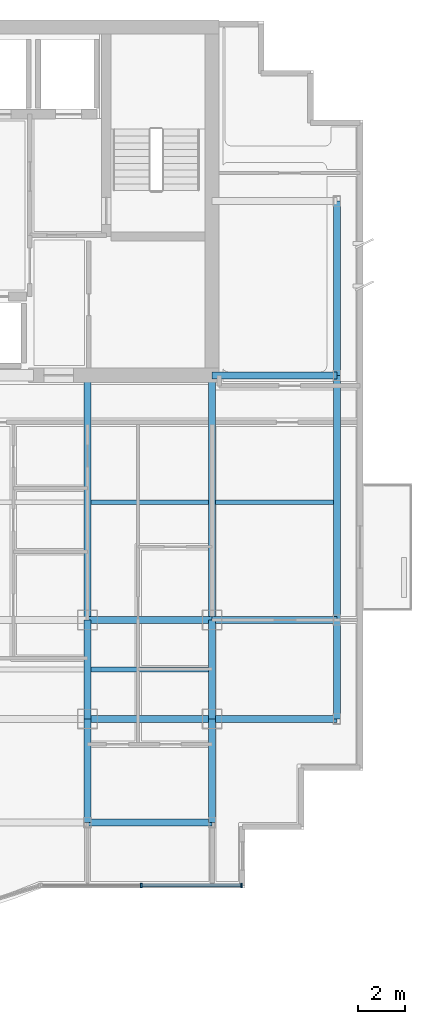
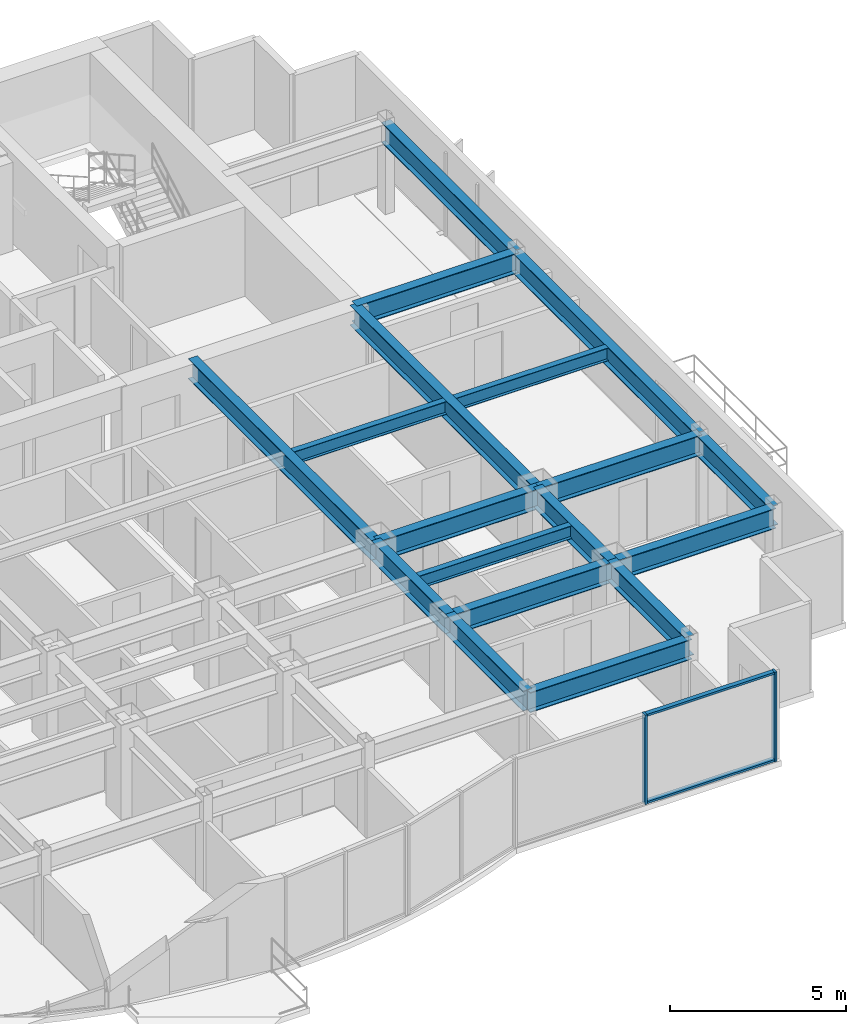
# One storey, part 4 of 11: 18 beams, 4 members, 1 element without a shape of its own.
"""IFC4 building model written with IfcOpenShell, lengths in metres."""

from ifc_helpers import new_model, si_unit, direction, frame, origin, origin_2d, place, context, subcontext, project, spatial, rectangle, i_section, extrude, source, transform, mapped, material, layer, layer_set, material_profile, profile_set, type_object, element, aggregate, save


model = new_model("IFC4")

# Units and contexts
model_context = context("Model", 3, precision=1e-05, world=origin(), true_north=direction((0.0, 1.0)))
body_context = subcontext(model_context, "Body", "Model", "MODEL_VIEW")
ifc_project = project(units=[si_unit("LENGTHUNIT", "METRE"), si_unit("AREAUNIT", "SQUARE_METRE"), si_unit("VOLUMEUNIT", "CUBIC_METRE"), si_unit("PLANEANGLEUNIT", "RADIAN"), si_unit("MASSUNIT", "GRAM", prefix="KILO")], contexts=[model_context])

# Site, building, storey
site_placement = place(None, origin())
site = spatial("IfcSite", under=ifc_project, at=site_placement, CompositionType="ELEMENT")
building_placement = place(site_placement, origin())
building = spatial("IfcBuilding", under=site, at=building_placement, Name="Qianlan Lanfeng Residences", CompositionType="ELEMENT")
storey_placement = place(building_placement, frame((0.0, 0.0, 165.60009765625)))
storey = spatial("IfcBuildingStorey", under=building, at=storey_placement, Name="L45", CompositionType="ELEMENT", Elevation=165.60009765625)

# Beams
ifc_material_1 = material(Name="Steel SN490B", Category="steel")
ifc_material_profile_1 = material_profile(ifc_material_1, i_section(OverallWidth=0.300048828125, OverallDepth=0.699951171875, WebThickness=0.012939453125, FlangeThickness=0.02392578125, at=origin_2d()), Name="H 700x300x13x24")
ifc_profile_set_1 = profile_set([ifc_material_profile_1], Name="Steel SN490B")
beam_type_1 = type_object("IfcBeamType", Name="G-750", PredefinedType="BEAM", material=ifc_profile_set_1)
beam_1_placement = place(storey_placement, frame((37.10009765625, 10.60009765625, 2.75), z_axis=(1.0, 0.0, 0.0), x_axis=(0.0, 1.0, 0.0)))
element("IfcBeam", 1, at=beam_1_placement, inside=storey, type_object=beam_type_1, Name="Structural beam G-750", PredefinedType="BEAM", context=body_context, shape_type="SweptSolid", body=[
    extrude(i_section(OverallWidth=0.300048828125, OverallDepth=0.699951171875, WebThickness=0.012939453125, FlangeThickness=0.02392578125, at=origin_2d()), origin(), (0.0, 0.0, 1.0), 5.2998046875),
])
beam_2_placement = place(storey_placement, frame((42.39990234375, 10.60009765625, 2.75), z_axis=(1.0, 0.0, 0.0), x_axis=(0.0, 1.0, 0.0)))
element("IfcBeam", 2, at=beam_2_placement, inside=storey, type_object=beam_type_1, Name="Structural beam G-750", PredefinedType="BEAM", context=body_context, shape_type="SweptSolid", body=[
    extrude(i_section(OverallWidth=0.300048828125, OverallDepth=0.699951171875, WebThickness=0.012939453125, FlangeThickness=0.02392578125, at=origin_2d()), origin(), (0.0, 0.0, 1.0), 5.300048828125),
])
beam_3_placement = place(storey_placement, frame((37.10009765625, 14.800048828125, 2.75), z_axis=(1.0, 0.0, 0.0), x_axis=(0.0, 1.0, 0.0)))
element("IfcBeam", 3, at=beam_3_placement, inside=storey, type_object=beam_type_1, Name="Structural beam G-750", PredefinedType="BEAM", context=body_context, shape_type="SweptSolid", body=[
    extrude(i_section(OverallWidth=0.300048828125, OverallDepth=0.699951171875, WebThickness=0.012939453125, FlangeThickness=0.02392578125, at=origin_2d()), origin(), (0.0, 0.0, 1.0), 5.2998046875),
])
for number, where, z_axis, x_axis, name in (
    (4, (42.39990234375, 14.800048828125, 2.75), (1.0, 0.0, 0.0), (0.0, 1.0, 0.0), "Structural beam G-750"),
    (5, (42.39990234375, 25.199951171875, 2.75), (1.0, 0.0, 0.0), (0.0, 1.0, 0.0), "Structural beam G-750"),
):
    element("IfcBeam", number, at=place(storey_placement, frame(where, z_axis=z_axis, x_axis=x_axis)), inside=storey, type_object=beam_type_1, Name=name, PredefinedType="BEAM", context=body_context, shape_type="SweptSolid", body=[
        extrude(i_section(OverallWidth=0.300048828125, OverallDepth=0.699951171875, WebThickness=0.012939453125, FlangeThickness=0.02392578125, at=origin_2d()), origin(), (0.0, 0.0, 1.0), 5.300048828125),
    ])
beam_4_placement = place(storey_placement, frame((37.10009765625, 6.199951171875, 2.75), z_axis=(0.0, 1.0, 0.0), x_axis=(-1.0, 0.0, 0.0)))
element("IfcBeam", 6, at=beam_4_placement, inside=storey, type_object=beam_type_1, Name="Structural beam G-750", PredefinedType="BEAM", context=body_context, shape_type="SweptSolid", body=[
    extrude(i_section(OverallWidth=0.300048828125, OverallDepth=0.699951171875, WebThickness=0.012939453125, FlangeThickness=0.02392578125, at=origin_2d()), origin(), (0.0, 0.0, 1.0), 4.400146484375),
])
beam_5_placement = place(storey_placement, frame((37.10009765625, 10.60009765625, 2.75), z_axis=(0.0, 1.0, 0.0), x_axis=(-1.0, 0.0, 0.0)))
element("IfcBeam", 7, at=beam_5_placement, inside=storey, type_object=beam_type_1, Name="Structural beam G-750", PredefinedType="BEAM", context=body_context, shape_type="SweptSolid", body=[
    extrude(i_section(OverallWidth=0.300048828125, OverallDepth=0.699951171875, WebThickness=0.012939453125, FlangeThickness=0.02392578125, at=origin_2d()), origin(), (0.0, 0.0, 1.0), 4.199951171875),
])
beam_6_placement = place(storey_placement, frame((37.10009765625, 14.800048828125, 2.75), z_axis=(0.0, 1.0, 0.0), x_axis=(-1.0, 0.0, 0.0)))
element("IfcBeam", 8, at=beam_6_placement, inside=storey, type_object=beam_type_1, Name="Structural beam G-750", PredefinedType="BEAM", context=body_context, shape_type="SweptSolid", body=[
    extrude(i_section(OverallWidth=0.300048828125, OverallDepth=0.699951171875, WebThickness=0.012939453125, FlangeThickness=0.02392578125, at=origin_2d()), origin(), (0.0, 0.0, 1.0), 10.39990234375),
])
beam_7_placement = place(storey_placement, frame((42.39990234375, 6.199951171875, 2.75), z_axis=(0.0, 1.0, 0.0), x_axis=(-1.0, 0.0, 0.0)))
element("IfcBeam", 9, at=beam_7_placement, inside=storey, type_object=beam_type_1, Name="Structural beam G-750", PredefinedType="BEAM", context=body_context, shape_type="SweptSolid", body=[
    extrude(i_section(OverallWidth=0.300048828125, OverallDepth=0.699951171875, WebThickness=0.012939453125, FlangeThickness=0.02392578125, at=origin_2d()), origin(), (0.0, 0.0, 1.0), 4.400146484375),
])
beam_8_placement = place(storey_placement, frame((42.39990234375, 10.60009765625, 2.75), z_axis=(0.0, 1.0, 0.0), x_axis=(-1.0, 0.0, 0.0)))
element("IfcBeam", 10, at=beam_8_placement, inside=storey, type_object=beam_type_1, Name="Structural beam G-750", PredefinedType="BEAM", context=body_context, shape_type="SweptSolid", body=[
    extrude(i_section(OverallWidth=0.300048828125, OverallDepth=0.699951171875, WebThickness=0.012939453125, FlangeThickness=0.02392578125, at=origin_2d()), origin(), (0.0, 0.0, 1.0), 4.199951171875),
])
beam_9_placement = place(storey_placement, frame((42.39990234375, 14.800048828125, 2.75), z_axis=(0.0, 1.0, 0.0), x_axis=(-1.0, 0.0, 0.0)))
element("IfcBeam", 11, at=beam_9_placement, inside=storey, type_object=beam_type_1, Name="Structural beam G-750", PredefinedType="BEAM", context=body_context, shape_type="SweptSolid", body=[
    extrude(i_section(OverallWidth=0.300048828125, OverallDepth=0.699951171875, WebThickness=0.012939453125, FlangeThickness=0.02392578125, at=origin_2d()), origin(), (0.0, 0.0, 1.0), 10.39990234375),
])
ifc_material_profile_2 = material_profile(ifc_material_1, i_section(OverallWidth=0.199951171875, OverallDepth=0.449951171875, WebThickness=0.009033203125, FlangeThickness=0.013916015625, at=origin_2d()), Name="H 450x200x9x14")
ifc_profile_set_2 = profile_set([ifc_material_profile_2], Name="Steel SN490B")
beam_type_2 = type_object("IfcBeamType", Name="J-450", PredefinedType="JOIST", material=ifc_profile_set_2)
for number, where, z_axis, x_axis, name in (
    (12, (37.25, 12.699951171875, 2.875), (1.0, 0.0, 0.0), (0.0, 1.0, 0.0), "Structural beam J-450"),
    (13, (37.25, 19.800048828125, 2.875), (1.0, 0.0, 0.0), (0.0, 1.0, 0.0), "Structural beam J-450"),
    (14, (42.550048828125, 19.800048828125, 2.875), (1.0, 0.0, 0.0), (0.0, 1.0, 0.0), "Structural beam J-450"),
):
    element("IfcBeam", number, at=place(storey_placement, frame(where, z_axis=z_axis, x_axis=x_axis)), inside=storey, type_object=beam_type_2, Name=name, PredefinedType="JOIST", context=body_context, shape_type="SweptSolid", body=[
        extrude(i_section(OverallWidth=0.199951171875, OverallDepth=0.449951171875, WebThickness=0.009033203125, FlangeThickness=0.013916015625, at=origin_2d()), origin(), (0.0, 0.0, 1.0), 5.0),
    ])
ifc_material_profile_3 = material_profile(ifc_material_1, i_section(OverallWidth=0.300048828125, OverallDepth=0.699951171875, WebThickness=0.012939453125, FlangeThickness=0.02392578125, at=origin_2d()), Name="H 700x300x13x24")
ifc_profile_set_3 = profile_set([ifc_material_profile_3], Name="Steel SN490B")
beam_type_3 = type_object("IfcBeamType", Name="SG-750", PredefinedType="SPANDREL", material=ifc_profile_set_3)
beam_10_placement = place(storey_placement, frame((37.10009765625, 6.199951171875, 2.739990234375), z_axis=(1.0, 0.0, 0.0), x_axis=(0.0, 1.0, 0.0)))
element("IfcBeam", 15, at=beam_10_placement, inside=storey, type_object=beam_type_3, Name="Structural beam SG-750", PredefinedType="SPANDREL", context=body_context, shape_type="SweptSolid", body=[
    extrude(i_section(OverallWidth=0.300048828125, OverallDepth=0.699951171875, WebThickness=0.012939453125, FlangeThickness=0.02392578125, at=origin_2d()), origin(), (0.0, 0.0, 1.0), 5.2998046875),
])
beam_11_placement = place(storey_placement, frame((47.699951171875, 10.60009765625, 2.739990234375), z_axis=(0.0, 1.0, 0.0), x_axis=(-1.0, 0.0, 0.0)))
element("IfcBeam", 16, at=beam_11_placement, inside=storey, type_object=beam_type_3, Name="Structural beam SG-750", PredefinedType="SPANDREL", context=body_context, shape_type="SweptSolid", body=[
    extrude(i_section(OverallWidth=0.300048828125, OverallDepth=0.699951171875, WebThickness=0.012939453125, FlangeThickness=0.02392578125, at=origin_2d()), origin(), (0.0, 0.0, 1.0), 4.199951171875),
])
beam_12_placement = place(storey_placement, frame((47.699951171875, 14.800048828125, 2.739990234375), z_axis=(0.0, 1.0, 0.0), x_axis=(-1.0, 0.0, 0.0)))
element("IfcBeam", 17, at=beam_12_placement, inside=storey, type_object=beam_type_3, Name="Structural beam SG-750", PredefinedType="SPANDREL", context=body_context, shape_type="SweptSolid", body=[
    extrude(i_section(OverallWidth=0.300048828125, OverallDepth=0.699951171875, WebThickness=0.012939453125, FlangeThickness=0.02392578125, at=origin_2d()), origin(), (0.0, 0.0, 1.0), 10.39990234375),
])
beam_13_placement = place(storey_placement, frame((47.699951171875, 25.199951171875, 2.739990234375), z_axis=(0.0, 1.0, 0.0), x_axis=(-1.0, 0.0, 0.0)))
element("IfcBeam", 18, at=beam_13_placement, inside=storey, type_object=beam_type_3, Name="Structural beam SG-750", PredefinedType="SPANDREL", context=body_context, shape_type="SweptSolid", body=[
    extrude(i_section(OverallWidth=0.300048828125, OverallDepth=0.699951171875, WebThickness=0.012939453125, FlangeThickness=0.02392578125, at=origin_2d()), origin(), (0.0, 0.0, 1.0), 7.400146484375),
])

# Curtain wall, members
ifc_material_2 = material(Name="Anodised Bronze Aluminium 6063-T6", Category="aluminium")
ifc_layer = layer(ifc_material_2, 0.219970703125)
ifc_layer_set = layer_set([ifc_layer], Name="Anodised Bronze Aluminium 6063-T6")
curtain_wall_type = type_object("IfcCurtainWallType", Name="CW-04", PredefinedType="NOTDEFINED", material=ifc_layer_set)
curtain_wall_placement = place(storey_placement, origin())
curtain_wall = element("IfcCurtainWall", 19, at=curtain_wall_placement, inside=storey, type_object=curtain_wall_type, Name="L45 Unitised Curtain Wall CWR-L45-05 (CW-04)", PredefinedType="NOTDEFINED")
ifc_material_profile_4 = material_profile(ifc_material_2, rectangle(XDim=0.074951171875, YDim=0.14990234375, at=origin_2d()), Name="ALU TRANSOM 75x150")
ifc_profile_set_4 = profile_set([ifc_material_profile_4], Name="Anodised Bronze Aluminium 6063-T6")
member_type_1 = type_object("IfcMemberType", Name="CWT-150", PredefinedType="USERDEFINED", material=ifc_profile_set_4)
shared_shape_1 = source(origin(), body_context, "Body", "SweptSolid", [
    extrude(rectangle(XDim=0.074951171875, YDim=0.14990234375, at=origin_2d()), origin(), (0.0, 0.0, 1.0), 4.178955078125),
])
member_1_placement = place(storey_placement, frame((39.426025390625, 3.52001953125, 0.037353515625), z_axis=(1.0, 0.0, 0.0), x_axis=(0.0, 0.0, 1.0)))
member_1 = element("IfcMember", 20, at=member_1_placement, type_object=member_type_1, Name="CWR-L45-05 Transom 2-BOT", ObjectType="TRANSOM", PredefinedType="USERDEFINED", context=body_context, shape_type="MappedRepresentation", body=[
    mapped(shared_shape_1, transform((0.0, 0.0, 0.0), scale=1.0)),
])
member_2_placement = place(storey_placement, frame((39.426025390625, 3.52001953125, 3.0625), z_axis=(1.0, 0.0, 0.0), x_axis=(0.0, 0.0, 1.0)))
member_2 = element("IfcMember", 21, at=member_2_placement, type_object=member_type_1, Name="CWR-L45-05 Transom 2-TOP", ObjectType="TRANSOM", PredefinedType="USERDEFINED", context=body_context, shape_type="MappedRepresentation", body=[
    mapped(shared_shape_1, transform((0.0, 0.0, 0.0), scale=1.0)),
])
ifc_material_profile_5 = material_profile(ifc_material_2, rectangle(XDim=0.074951171875, YDim=0.179931640625, at=origin_2d()), Name="ALU MULLION 75x180")
ifc_profile_set_5 = profile_set([ifc_material_profile_5], Name="Anodised Bronze Aluminium 6063-T6")
member_type_2 = type_object("IfcMemberType", Name="CWM-180", PredefinedType="MULLION", material=ifc_profile_set_5)
shared_shape_2 = source(origin(), body_context, "Body", "SweptSolid", [
    extrude(rectangle(XDim=0.074951171875, YDim=0.179931640625, at=origin_2d()), origin(), (0.0, 0.0, 1.0), 3.099853515625),
])
member_3_placement = place(storey_placement, frame((39.388427734375, 3.52001953125, 0.0), z_axis=(0.0, 0.0, 1.0), x_axis=(1.0, 0.0, 0.0)))
member_3 = element("IfcMember", 22, at=member_3_placement, type_object=member_type_2, Name="CWR-L45-05 Mullion 2", PredefinedType="MULLION", context=body_context, shape_type="MappedRepresentation", body=[
    mapped(shared_shape_2, transform((0.0, 0.0, 0.0), scale=1.0)),
])
member_4_placement = place(storey_placement, frame((43.642578125, 3.52001953125, 0.0), z_axis=(0.0, 0.0, 1.0), x_axis=(1.0, 0.0, 0.0)))
member_4 = element("IfcMember", 23, at=member_4_placement, type_object=member_type_2, Name="CWR-L45-05 Mullion 3", PredefinedType="MULLION", context=body_context, shape_type="MappedRepresentation", body=[
    mapped(shared_shape_2, transform((0.0, 0.0, 0.0), scale=1.0)),
])
aggregate(curtain_wall, [member_3, member_4, member_1, member_2])

save(model, "model.ifc")
